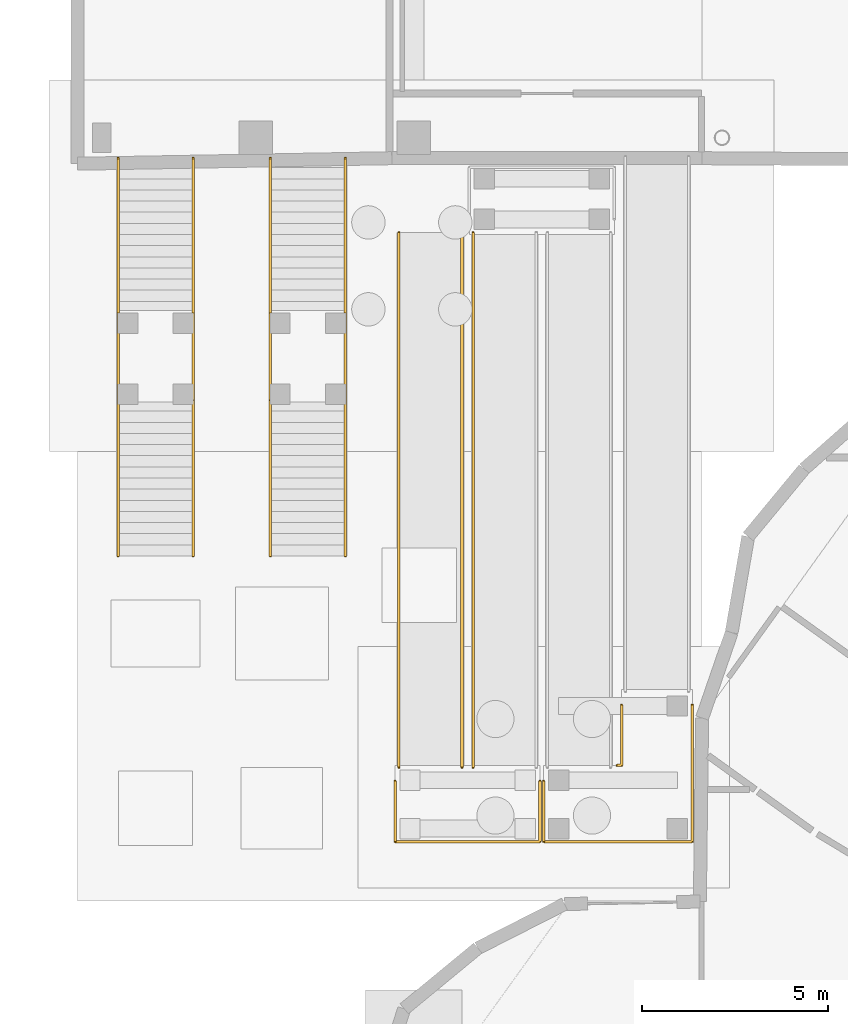
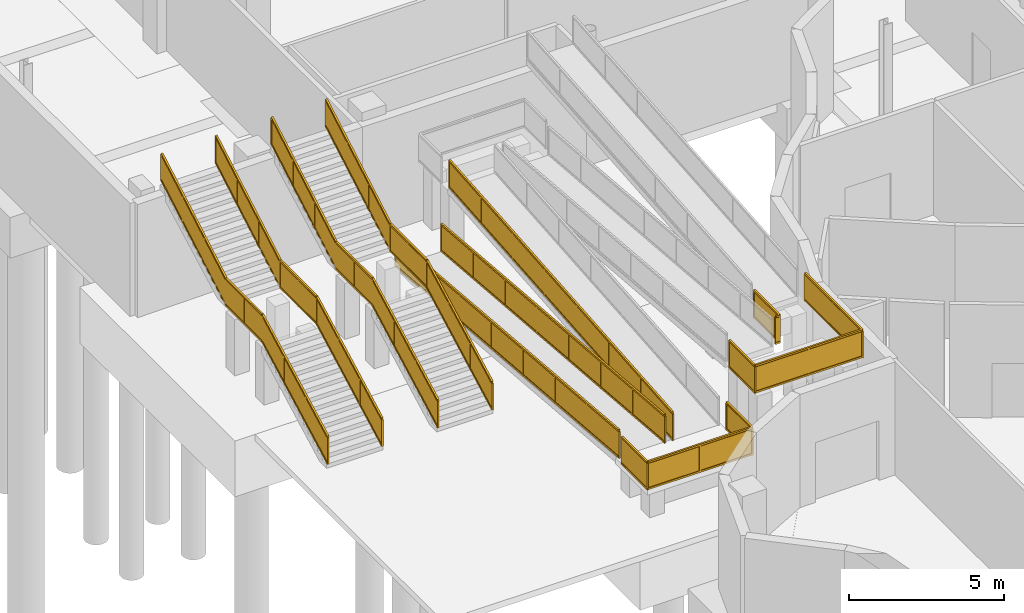
# One storey, part 41 of 45: 12 railings.
"""IFC4 building model written with IfcOpenShell, lengths in metres."""

import ifcopenshell
import ifcopenshell.guid

model = None  # the IFC model being written
_history = None  # IfcOwnerHistory: only IFC2X3 demands one
_inside = {}  # id of a spatial element -> (the spatial element, [elements in it])
_under = {}  # id of a project, library or spatial element -> (it, [spatial elements below it])
_declared = {}  # id of a project -> (the project, [libraries it declares])
_typed = {}  # id of a type object -> (the type object, [elements of that type])
_made_of = {}  # id of a material, layer set ... -> (it, [elements and type objects made of it])


def new_model(schema):
    """Start an empty IFC model of exactly this schema.

    Asked for "IFC4X3", IfcOpenShell would pick the latest addendum, in which some entities
    have other attributes; the version numbers below select the first issue.
    IFC2X3 requires an IfcOwnerHistory on every rooted entity: one is made here for all.
    """
    global model, _history
    if schema == "IFC4X3":
        model = ifcopenshell.file(schema_version=(4, 3, 0, 0))
    else:
        model = ifcopenshell.file(schema=schema)
    _inside.clear()
    _under.clear()
    _declared.clear()
    _typed.clear()
    _made_of.clear()
    _history = None
    if model.schema == "IFC2X3":
        org = make("IfcOrganization", Name="unknown")
        user = make(
            "IfcPersonAndOrganization",
            ThePerson=make("IfcPerson", FamilyName="unknown"),
            TheOrganization=org,
        )
        app = make(
            "IfcApplication",
            ApplicationDeveloper=org,
            Version="unknown",
            ApplicationFullName="unknown",
            ApplicationIdentifier="unknown",
        )
        _history = make(
            "IfcOwnerHistory",
            OwningUser=user,
            OwningApplication=app,
            ChangeAction="ADDED",
            CreationDate=0,
        )
    return model


def make(cls, **values):
    """One entity of the class cls with the attributes given. An attribute that is None is left unset."""
    return model.create_entity(
        cls, **{name: value for name, value in values.items() if value is not None}
    )


def rooted(cls, **values):
    """An entity with a GlobalId (a new one), such as an element, a storey or a relation."""
    return make(cls, GlobalId=ifcopenshell.guid.new(), OwnerHistory=_history, **values)


def si_unit(unit_type, name, prefix=None):
    """IfcSIUnit, for example si_unit("LENGTHUNIT", "METRE", prefix="MILLI")."""
    return make("IfcSIUnit", UnitType=unit_type, Prefix=prefix, Name=name)


def assignment(units):
    """IfcUnitAssignment: the units of a project."""
    return None if units is None else make("IfcUnitAssignment", Units=units)


def point(xyz):
    """IfcCartesianPoint."""
    return None if xyz is None else make("IfcCartesianPoint", Coordinates=xyz)


def direction(xyz):
    """IfcDirection."""
    return None if xyz is None else make("IfcDirection", DirectionRatios=xyz)


def frame(location, z_axis=None, x_axis=None):
    """IfcAxis2Placement3D, a coordinate frame: its origin and axes. An axis left out is left unset."""
    return make(
        "IfcAxis2Placement3D",
        Location=point(location),
        Axis=direction(z_axis),
        RefDirection=direction(x_axis),
    )


def frame_2d(location, x_axis=None):
    """IfcAxis2Placement2D, a coordinate frame in the plane: its origin and x axis."""
    return make(
        "IfcAxis2Placement2D", Location=point(location), RefDirection=direction(x_axis)
    )


def origin():
    """The frame at (0, 0, 0) with its axes left unset."""
    return frame((0.0, 0.0, 0.0))


def origin_2d():
    """The frame at (0, 0) in the plane with its x axis left unset."""
    return frame_2d((0.0, 0.0))


def place(relative_to, where):
    """IfcLocalPlacement: puts the frame where relative to a parent placement (None: the world)."""
    return make(
        "IfcLocalPlacement", PlacementRelTo=relative_to, RelativePlacement=where
    )


def context(
    kind, dimensions, precision=None, world=None, true_north=None, identifier=None
):
    """IfcGeometricRepresentationContext, for example the 3D "Model" context."""
    return make(
        "IfcGeometricRepresentationContext",
        ContextIdentifier=identifier,
        ContextType=kind,
        CoordinateSpaceDimension=dimensions,
        Precision=precision,
        WorldCoordinateSystem=world,
        TrueNorth=true_north,
    )


def subcontext(parent, identifier, kind, view, scale=None):
    """IfcGeometricRepresentationSubContext, for example "Body" below "Model"."""
    return make(
        "IfcGeometricRepresentationSubContext",
        ContextIdentifier=identifier,
        ContextType=kind,
        ParentContext=parent,
        TargetScale=scale,
        TargetView=view,
    )


def project(units=None, contexts=None):
    """IfcProject with its units and contexts."""
    return rooted(
        "IfcProject",
        Name="project",
        RepresentationContexts=contexts,
        UnitsInContext=assignment(units),
    )


def spatial(cls, under=None, at=None, **own):
    """A site, building, storey or space (cls), placed at a placement, below another one or the project."""
    s = rooted(cls, ObjectPlacement=at, **own)
    if under is not None:
        _under.setdefault(under.id(), (under, []))[1].append(s)
    return s


def polyline(points):
    """IfcPolyline through the points."""
    return make("IfcPolyline", Points=[point(p) for p in points])


def profile(cls, at=None, kind="AREA", **sizes):
    """A parametric profile (cls). Its sizes go by their IFC names, for example OverallWidth=200.0."""
    return make(cls, ProfileType=kind, Position=at, **sizes)


def rectangle(**sizes):
    """IfcRectangleProfileDef."""
    return profile("IfcRectangleProfileDef", **sizes)


def outline(outer, holes=None, kind="AREA"):
    """IfcArbitraryClosedProfileDef: a profile drawn as a closed curve; with holes, ...WithVoids."""
    if holes is None:
        return make("IfcArbitraryClosedProfileDef", ProfileType=kind, OuterCurve=outer)
    return make(
        "IfcArbitraryProfileDefWithVoids",
        ProfileType=kind,
        OuterCurve=outer,
        InnerCurves=holes,
    )


def extrude(swept, where, along, depth):
    """IfcExtrudedAreaSolid: the profile swept, set in the frame where, extruded along a direction by depth."""
    return make(
        "IfcExtrudedAreaSolid",
        SweptArea=swept,
        Position=where,
        ExtrudedDirection=direction(along),
        Depth=depth,
    )


def shape(context_of_items, identifier, shape_type, items):
    """IfcShapeRepresentation: the items that make up one representation, for example the "Body"."""
    return make(
        "IfcShapeRepresentation",
        ContextOfItems=context_of_items,
        RepresentationIdentifier=identifier,
        RepresentationType=shape_type,
        Items=items,
    )


def material(Name=None, Category=None):
    """IfcMaterial."""
    return make("IfcMaterial", Name=Name, Category=Category)


def made_of(thing, what):
    """Note that an element or type object is made of a material, layer set ...; save() writes the relation."""
    if what is not None:
        _made_of.setdefault(what.id(), (what, []))[1].append(thing)
    return thing


def type_object(cls, material=None, **own):
    """A type object (cls), such as IfcWallType, which elements share."""
    return made_of(rooted(cls, **own), material)


def element(
    cls,
    number,
    at=None,
    inside=None,
    cuts=None,
    type_object=None,
    material=None,
    context=None,
    identifier="Body",
    shape_type=None,
    held_by="IfcProductDefinitionShape",
    body=None,
    shapes=None,
    **own,
):
    """One element of the class cls, such as IfcWall. Its Tag is "e" and its number.

    at: its placement. inside: the storey or other place that contains it. cuts: it is an
    opening in that element (IfcRelVoidsElement). A single representation is given by context,
    identifier, shape_type and body (its items); several are given by shapes. held_by: the class
    of the entity that holds the representations. save() writes the other relations.
    """
    e = rooted(cls, Tag="e%d" % number, ObjectPlacement=at, **own)
    if body is not None:
        shapes = [shape(context, identifier, shape_type, body)]
    if shapes is not None:
        e.Representation = make(held_by, Representations=shapes)
    if inside is not None:
        _inside.setdefault(inside.id(), (inside, []))[1].append(e)
    if cuts is not None:
        rooted(
            "IfcRelVoidsElement", RelatingBuildingElement=cuts, RelatedOpeningElement=e
        )
    if type_object is not None:
        _typed.setdefault(type_object.id(), (type_object, []))[1].append(e)
    return made_of(e, material)


def aggregate(whole, parts):
    """IfcRelAggregates: a whole, such as a stair, and the parts it consists of."""
    return rooted("IfcRelAggregates", RelatingObject=whole, RelatedObjects=parts)


def save(model, path):
    """Write the relations noted so far, then the file.

    IfcRelAggregates (storeys below a building ...), IfcRelContainedInSpatialStructure (elements
    in a storey), IfcRelDefinesByType, IfcRelAssociatesMaterial and IfcRelDeclares: one each for
    every whole, place, type object, material and project.
    """
    for whole, parts in _under.values():
        aggregate(whole, parts)
    for where, things in _inside.values():
        rooted(
            "IfcRelContainedInSpatialStructure",
            RelatedElements=things,
            RelatingStructure=where,
        )
    for kind, things in _typed.values():
        rooted("IfcRelDefinesByType", RelatedObjects=things, RelatingType=kind)
    for what, things in _made_of.values():
        rooted("IfcRelAssociatesMaterial", RelatedObjects=things, RelatingMaterial=what)
    for by, libraries in _declared.values():
        rooted("IfcRelDeclares", RelatingContext=by, RelatedDefinitions=libraries)
    model.write(path)


model = new_model("IFC4")

# Units and contexts
model_context = context("Model", 3, precision=1e-05, world=origin(), true_north=direction((0.0, 1.0)))
body_context = subcontext(model_context, "Body", "Model", "MODEL_VIEW")
ifc_project = project(units=[si_unit("LENGTHUNIT", "METRE"), si_unit("AREAUNIT", "SQUARE_METRE"), si_unit("VOLUMEUNIT", "CUBIC_METRE"), si_unit("PLANEANGLEUNIT", "RADIAN"), si_unit("MASSUNIT", "GRAM", prefix="KILO")], contexts=[model_context])

# Site, building, storey
site_placement = place(None, origin())
site = spatial("IfcSite", under=ifc_project, at=site_placement, CompositionType="ELEMENT")
building_placement = place(site_placement, origin())
building = spatial("IfcBuilding", under=site, at=building_placement, Name="Selatvlak General Hospital", CompositionType="ELEMENT")
storey_placement = place(building_placement, frame((0.0, 0.0, -4.800048828125)))
storey = spatial("IfcBuildingStorey", under=building, at=storey_placement, Name="B1", CompositionType="ELEMENT", Elevation=-4.800048828125)

# Railings
ifc_material = material(Name="Stainless steel 316 stair guard", Category="steel")
railing_type = type_object("IfcRailingType", Name="RAIL-STG", PredefinedType="GUARDRAIL", material=ifc_material)
railing_1_placement = place(storey_placement, frame((7.090087890625, 41.2900390625, 0.16015625)))
element("IfcRailing", 1, at=railing_1_placement, inside=storey, type_object=railing_type, Name="Forecourt stair ST-08 side guard W", PredefinedType="GUARDRAIL", context=body_context, shape_type="SweptSolid", body=[
    extrude(rectangle(XDim=0.068115234375, YDim=0.068115234375, at=origin_2d()), frame((0.0, 0.002685546875, 1.08740234375), z_axis=(0.0, 0.882351521365, 0.470590897432), x_axis=(-1.0, 0.0, 0.0)), (0.0, 0.0, 1.0), 4.754150390625),
    extrude(rectangle(XDim=0.068115234375, YDim=0.068115234375, at=origin_2d()), frame((0.0, 0.002685546875, 0.050537109375), z_axis=(0.0, 0.882351521365, 0.470590897432), x_axis=(-1.0, 0.0, 0.0)), (0.0, 0.0, 1.0), 4.754150390625),
    extrude(outline(polyline([(0.0, 0.0), (4.18798828125, 2.233642578125), (4.18798828125, 3.175537109375), (0.0, 0.94189453125), (0.0, 0.0)])), frame((-0.01806640625, 0.006103515625, 0.088134765625), z_axis=(1.0, 0.0, 0.0), x_axis=(0.0, 1.0, 0.0)), (0.0, 0.0, 1.0), 0.031982421875),
    extrude(rectangle(XDim=0.068115234375, YDim=0.068115234375, at=origin_2d()), frame((0.0, 4.202880859375, 3.326171875), z_axis=(0.0, 1.0, 0.0), x_axis=(-1.0, 0.0, 0.0)), (0.0, 0.0, 1.0), 2.34912109375),
    extrude(rectangle(XDim=0.068115234375, YDim=0.068115234375, at=origin_2d()), frame((0.0, 4.202880859375, 2.2890625), z_axis=(0.0, 1.0, 0.0), x_axis=(-1.0, 0.0, 0.0)), (0.0, 0.0, 1.0), 2.34912109375),
    extrude(outline(polyline([(0.0, 0.0), (2.343017578125, 0.0), (2.343017578125, 0.94189453125), (0.0, 0.94189453125), (0.0, 0.0)])), frame((-0.01806640625, 4.2060546875, 2.324951171875), z_axis=(1.0, 0.0, 0.0), x_axis=(0.0, 1.0, 0.0)), (0.0, 0.0, 1.0), 0.031982421875),
    extrude(rectangle(XDim=0.068115234375, YDim=0.068115234375, at=origin_2d()), frame((0.0, 6.557373046875, 3.32763671875), z_axis=(0.0, 0.865935592841, 0.500155524862), x_axis=(-1.0, 0.0, 0.0)), (0.0, 0.0, 1.0), 4.79248046875),
    extrude(rectangle(XDim=0.068115234375, YDim=0.068115234375, at=origin_2d()), frame((0.0, 6.557373046875, 2.29052734375), z_axis=(0.0, 0.865935592841, 0.500155524862), x_axis=(-1.0, 0.0, 0.0)), (0.0, 0.0, 1.0), 4.79248046875),
    extrude(outline(polyline([(0.0, 0.0), (4.14306640625, 2.39306640625), (4.14306640625, 3.3349609375), (0.0, 0.94189453125), (0.0, 0.0)])), frame((-0.01806640625, 6.56103515625, 2.328369140625), z_axis=(1.0, 0.0, 0.0), x_axis=(0.0, 1.0, 0.0)), (0.0, 0.0, 1.0), 0.031982421875),
    extrude(rectangle(XDim=0.055908203125, YDim=0.055908203125, at=origin_2d()), origin(), (0.0, 0.0, 1.0), 1.049072265625),
    extrude(rectangle(XDim=0.055908203125, YDim=0.055908203125, at=origin_2d()), frame((0.0, 1.39990234375, 0.74658203125)), (0.0, 0.0, 1.0), 1.049072265625),
    extrude(rectangle(XDim=0.055908203125, YDim=0.055908203125, at=origin_2d()), frame((0.0, 2.800048828125, 1.493408203125)), (0.0, 0.0, 1.0), 1.049072265625),
    extrude(rectangle(XDim=0.055908203125, YDim=0.055908203125, at=origin_2d()), frame((0.0, 4.199951171875, 2.239990234375)), (0.0, 0.0, 1.0), 1.049072265625),
    extrude(rectangle(XDim=0.055908203125, YDim=0.055908203125, at=origin_2d()), frame((0.0, 5.37744140625, 2.239990234375)), (0.0, 0.0, 1.0), 1.049072265625),
    extrude(rectangle(XDim=0.055908203125, YDim=0.055908203125, at=origin_2d()), frame((0.0, 6.554931640625, 2.239990234375)), (0.0, 0.0, 1.0), 1.049072265625),
    extrude(rectangle(XDim=0.055908203125, YDim=0.055908203125, at=origin_2d()), frame((0.0, 7.93994140625, 3.0400390625)), (0.0, 0.0, 1.0), 1.049072265625),
    extrude(rectangle(XDim=0.055908203125, YDim=0.055908203125, at=origin_2d()), frame((0.0, 9.324951171875, 3.83984375)), (0.0, 0.0, 1.0), 1.049072265625),
    extrude(rectangle(XDim=0.055908203125, YDim=0.055908203125, at=origin_2d()), frame((0.0, 10.7099609375, 4.639892578125)), (0.0, 0.0, 1.0), 1.049072265625),
])
railing_2_placement = place(storey_placement, frame((9.110107421875, 41.2900390625, 0.16015625)))
element("IfcRailing", 2, at=railing_2_placement, inside=storey, type_object=railing_type, Name="Forecourt stair ST-08 side guard E", PredefinedType="GUARDRAIL", context=body_context, shape_type="SweptSolid", body=[
    extrude(rectangle(XDim=0.068115234375, YDim=0.068115234375, at=origin_2d()), frame((0.0, 0.002685546875, 1.08740234375), z_axis=(0.0, 0.882351521365, 0.470590897432), x_axis=(-1.0, 0.0, 0.0)), (0.0, 0.0, 1.0), 4.754150390625),
    extrude(rectangle(XDim=0.068115234375, YDim=0.068115234375, at=origin_2d()), frame((0.0, 0.002685546875, 0.050537109375), z_axis=(0.0, 0.882351521365, 0.470590897432), x_axis=(-1.0, 0.0, 0.0)), (0.0, 0.0, 1.0), 4.754150390625),
    extrude(outline(polyline([(0.0, 0.0), (4.18798828125, 2.233642578125), (4.18798828125, 3.175537109375), (0.0, 0.94189453125), (0.0, 0.0)])), frame((-0.01806640625, 0.006103515625, 0.088134765625), z_axis=(1.0, 0.0, 0.0), x_axis=(0.0, 1.0, 0.0)), (0.0, 0.0, 1.0), 0.031982421875),
    extrude(rectangle(XDim=0.068115234375, YDim=0.068115234375, at=origin_2d()), frame((0.0, 4.202880859375, 3.326171875), z_axis=(0.0, 1.0, 0.0), x_axis=(-1.0, 0.0, 0.0)), (0.0, 0.0, 1.0), 2.34912109375),
    extrude(rectangle(XDim=0.068115234375, YDim=0.068115234375, at=origin_2d()), frame((0.0, 4.202880859375, 2.2890625), z_axis=(0.0, 1.0, 0.0), x_axis=(-1.0, 0.0, 0.0)), (0.0, 0.0, 1.0), 2.34912109375),
    extrude(outline(polyline([(0.0, 0.0), (2.343017578125, 0.0), (2.343017578125, 0.94189453125), (0.0, 0.94189453125), (0.0, 0.0)])), frame((-0.01806640625, 4.2060546875, 2.324951171875), z_axis=(1.0, 0.0, 0.0), x_axis=(0.0, 1.0, 0.0)), (0.0, 0.0, 1.0), 0.031982421875),
    extrude(rectangle(XDim=0.068115234375, YDim=0.068115234375, at=origin_2d()), frame((0.0, 6.557373046875, 3.32763671875), z_axis=(0.0, 0.865935592841, 0.500155524862), x_axis=(-1.0, 0.0, 0.0)), (0.0, 0.0, 1.0), 4.79248046875),
    extrude(rectangle(XDim=0.068115234375, YDim=0.068115234375, at=origin_2d()), frame((0.0, 6.557373046875, 2.29052734375), z_axis=(0.0, 0.865935592841, 0.500155524862), x_axis=(-1.0, 0.0, 0.0)), (0.0, 0.0, 1.0), 4.79248046875),
    extrude(outline(polyline([(0.0, 0.0), (4.14306640625, 2.39306640625), (4.14306640625, 3.3349609375), (0.0, 0.94189453125), (0.0, 0.0)])), frame((-0.01806640625, 6.56103515625, 2.328369140625), z_axis=(1.0, 0.0, 0.0), x_axis=(0.0, 1.0, 0.0)), (0.0, 0.0, 1.0), 0.031982421875),
    extrude(rectangle(XDim=0.055908203125, YDim=0.055908203125, at=origin_2d()), origin(), (0.0, 0.0, 1.0), 1.049072265625),
    extrude(rectangle(XDim=0.055908203125, YDim=0.055908203125, at=origin_2d()), frame((0.0, 1.39990234375, 0.74658203125)), (0.0, 0.0, 1.0), 1.049072265625),
    extrude(rectangle(XDim=0.055908203125, YDim=0.055908203125, at=origin_2d()), frame((0.0, 2.800048828125, 1.493408203125)), (0.0, 0.0, 1.0), 1.049072265625),
    extrude(rectangle(XDim=0.055908203125, YDim=0.055908203125, at=origin_2d()), frame((0.0, 4.199951171875, 2.239990234375)), (0.0, 0.0, 1.0), 1.049072265625),
    extrude(rectangle(XDim=0.055908203125, YDim=0.055908203125, at=origin_2d()), frame((0.0, 5.37744140625, 2.239990234375)), (0.0, 0.0, 1.0), 1.049072265625),
    extrude(rectangle(XDim=0.055908203125, YDim=0.055908203125, at=origin_2d()), frame((0.0, 6.554931640625, 2.239990234375)), (0.0, 0.0, 1.0), 1.049072265625),
    extrude(rectangle(XDim=0.055908203125, YDim=0.055908203125, at=origin_2d()), frame((0.0, 7.93994140625, 3.0400390625)), (0.0, 0.0, 1.0), 1.049072265625),
    extrude(rectangle(XDim=0.055908203125, YDim=0.055908203125, at=origin_2d()), frame((0.0, 9.324951171875, 3.83984375)), (0.0, 0.0, 1.0), 1.049072265625),
    extrude(rectangle(XDim=0.055908203125, YDim=0.055908203125, at=origin_2d()), frame((0.0, 10.7099609375, 4.639892578125)), (0.0, 0.0, 1.0), 1.049072265625),
])
railing_3_placement = place(storey_placement, frame((11.18994140625, 41.2900390625, 0.16015625)))
element("IfcRailing", 3, at=railing_3_placement, inside=storey, type_object=railing_type, Name="Forecourt stair ST-09 side guard W", PredefinedType="GUARDRAIL", context=body_context, shape_type="SweptSolid", body=[
    extrude(rectangle(XDim=0.068115234375, YDim=0.068115234375, at=origin_2d()), frame((0.0, 0.002685546875, 1.08740234375), z_axis=(0.0, 0.882351521365, 0.470590897432), x_axis=(-1.0, 0.0, 0.0)), (0.0, 0.0, 1.0), 4.754150390625),
    extrude(rectangle(XDim=0.068115234375, YDim=0.068115234375, at=origin_2d()), frame((0.0, 0.002685546875, 0.050537109375), z_axis=(0.0, 0.882351521365, 0.470590897432), x_axis=(-1.0, 0.0, 0.0)), (0.0, 0.0, 1.0), 4.754150390625),
    extrude(outline(polyline([(0.0, 0.0), (4.18798828125, 2.233642578125), (4.18798828125, 3.175537109375), (0.0, 0.94189453125), (0.0, 0.0)])), frame((-0.01806640625, 0.006103515625, 0.088134765625), z_axis=(1.0, 0.0, 0.0), x_axis=(0.0, 1.0, 0.0)), (0.0, 0.0, 1.0), 0.031982421875),
    extrude(rectangle(XDim=0.068115234375, YDim=0.068115234375, at=origin_2d()), frame((0.0, 4.202880859375, 3.326171875), z_axis=(0.0, 1.0, 0.0), x_axis=(-1.0, 0.0, 0.0)), (0.0, 0.0, 1.0), 2.34912109375),
    extrude(rectangle(XDim=0.068115234375, YDim=0.068115234375, at=origin_2d()), frame((0.0, 4.202880859375, 2.2890625), z_axis=(0.0, 1.0, 0.0), x_axis=(-1.0, 0.0, 0.0)), (0.0, 0.0, 1.0), 2.34912109375),
    extrude(outline(polyline([(0.0, 0.0), (2.343017578125, 0.0), (2.343017578125, 0.94189453125), (0.0, 0.94189453125), (0.0, 0.0)])), frame((-0.01806640625, 4.2060546875, 2.324951171875), z_axis=(1.0, 0.0, 0.0), x_axis=(0.0, 1.0, 0.0)), (0.0, 0.0, 1.0), 0.031982421875),
    extrude(rectangle(XDim=0.068115234375, YDim=0.068115234375, at=origin_2d()), frame((0.0, 6.557373046875, 3.32763671875), z_axis=(0.0, 0.865935592841, 0.500155524862), x_axis=(-1.0, 0.0, 0.0)), (0.0, 0.0, 1.0), 4.79248046875),
    extrude(rectangle(XDim=0.068115234375, YDim=0.068115234375, at=origin_2d()), frame((0.0, 6.557373046875, 2.29052734375), z_axis=(0.0, 0.865935592841, 0.500155524862), x_axis=(-1.0, 0.0, 0.0)), (0.0, 0.0, 1.0), 4.79248046875),
    extrude(outline(polyline([(0.0, 0.0), (4.14306640625, 2.39306640625), (4.14306640625, 3.3349609375), (0.0, 0.94189453125), (0.0, 0.0)])), frame((-0.01806640625, 6.56103515625, 2.328369140625), z_axis=(1.0, 0.0, 0.0), x_axis=(0.0, 1.0, 0.0)), (0.0, 0.0, 1.0), 0.031982421875),
    extrude(rectangle(XDim=0.055908203125, YDim=0.055908203125, at=origin_2d()), origin(), (0.0, 0.0, 1.0), 1.049072265625),
    extrude(rectangle(XDim=0.055908203125, YDim=0.055908203125, at=origin_2d()), frame((0.0, 1.39990234375, 0.74658203125)), (0.0, 0.0, 1.0), 1.049072265625),
    extrude(rectangle(XDim=0.055908203125, YDim=0.055908203125, at=origin_2d()), frame((0.0, 2.800048828125, 1.493408203125)), (0.0, 0.0, 1.0), 1.049072265625),
    extrude(rectangle(XDim=0.055908203125, YDim=0.055908203125, at=origin_2d()), frame((0.0, 4.199951171875, 2.239990234375)), (0.0, 0.0, 1.0), 1.049072265625),
    extrude(rectangle(XDim=0.055908203125, YDim=0.055908203125, at=origin_2d()), frame((0.0, 5.37744140625, 2.239990234375)), (0.0, 0.0, 1.0), 1.049072265625),
    extrude(rectangle(XDim=0.055908203125, YDim=0.055908203125, at=origin_2d()), frame((0.0, 6.554931640625, 2.239990234375)), (0.0, 0.0, 1.0), 1.049072265625),
    extrude(rectangle(XDim=0.055908203125, YDim=0.055908203125, at=origin_2d()), frame((0.0, 7.93994140625, 3.0400390625)), (0.0, 0.0, 1.0), 1.049072265625),
    extrude(rectangle(XDim=0.055908203125, YDim=0.055908203125, at=origin_2d()), frame((0.0, 9.324951171875, 3.83984375)), (0.0, 0.0, 1.0), 1.049072265625),
    extrude(rectangle(XDim=0.055908203125, YDim=0.055908203125, at=origin_2d()), frame((0.0, 10.7099609375, 4.639892578125)), (0.0, 0.0, 1.0), 1.049072265625),
])
railing_4_placement = place(storey_placement, frame((13.2099609375, 41.2900390625, 0.16015625)))
element("IfcRailing", 4, at=railing_4_placement, inside=storey, type_object=railing_type, Name="Forecourt stair ST-09 side guard E", PredefinedType="GUARDRAIL", context=body_context, shape_type="SweptSolid", body=[
    extrude(rectangle(XDim=0.068115234375, YDim=0.068115234375, at=origin_2d()), frame((0.0, 0.002685546875, 1.08740234375), z_axis=(0.0, 0.882351521365, 0.470590897432), x_axis=(-1.0, 0.0, 0.0)), (0.0, 0.0, 1.0), 4.754150390625),
    extrude(rectangle(XDim=0.068115234375, YDim=0.068115234375, at=origin_2d()), frame((0.0, 0.002685546875, 0.050537109375), z_axis=(0.0, 0.882351521365, 0.470590897432), x_axis=(-1.0, 0.0, 0.0)), (0.0, 0.0, 1.0), 4.754150390625),
    extrude(outline(polyline([(0.0, 0.0), (4.18798828125, 2.233642578125), (4.18798828125, 3.175537109375), (0.0, 0.94189453125), (0.0, 0.0)])), frame((-0.01806640625, 0.006103515625, 0.088134765625), z_axis=(1.0, 0.0, 0.0), x_axis=(0.0, 1.0, 0.0)), (0.0, 0.0, 1.0), 0.031982421875),
    extrude(rectangle(XDim=0.068115234375, YDim=0.068115234375, at=origin_2d()), frame((0.0, 4.202880859375, 3.326171875), z_axis=(0.0, 1.0, 0.0), x_axis=(-1.0, 0.0, 0.0)), (0.0, 0.0, 1.0), 2.34912109375),
    extrude(rectangle(XDim=0.068115234375, YDim=0.068115234375, at=origin_2d()), frame((0.0, 4.202880859375, 2.2890625), z_axis=(0.0, 1.0, 0.0), x_axis=(-1.0, 0.0, 0.0)), (0.0, 0.0, 1.0), 2.34912109375),
    extrude(outline(polyline([(0.0, 0.0), (2.343017578125, 0.0), (2.343017578125, 0.94189453125), (0.0, 0.94189453125), (0.0, 0.0)])), frame((-0.01806640625, 4.2060546875, 2.324951171875), z_axis=(1.0, 0.0, 0.0), x_axis=(0.0, 1.0, 0.0)), (0.0, 0.0, 1.0), 0.031982421875),
    extrude(rectangle(XDim=0.068115234375, YDim=0.068115234375, at=origin_2d()), frame((0.0, 6.557373046875, 3.32763671875), z_axis=(0.0, 0.865935592841, 0.500155524862), x_axis=(-1.0, 0.0, 0.0)), (0.0, 0.0, 1.0), 4.79248046875),
    extrude(rectangle(XDim=0.068115234375, YDim=0.068115234375, at=origin_2d()), frame((0.0, 6.557373046875, 2.29052734375), z_axis=(0.0, 0.865935592841, 0.500155524862), x_axis=(-1.0, 0.0, 0.0)), (0.0, 0.0, 1.0), 4.79248046875),
    extrude(outline(polyline([(0.0, 0.0), (4.14306640625, 2.39306640625), (4.14306640625, 3.3349609375), (0.0, 0.94189453125), (0.0, 0.0)])), frame((-0.01806640625, 6.56103515625, 2.328369140625), z_axis=(1.0, 0.0, 0.0), x_axis=(0.0, 1.0, 0.0)), (0.0, 0.0, 1.0), 0.031982421875),
    extrude(rectangle(XDim=0.055908203125, YDim=0.055908203125, at=origin_2d()), origin(), (0.0, 0.0, 1.0), 1.049072265625),
    extrude(rectangle(XDim=0.055908203125, YDim=0.055908203125, at=origin_2d()), frame((0.0, 1.39990234375, 0.74658203125)), (0.0, 0.0, 1.0), 1.049072265625),
    extrude(rectangle(XDim=0.055908203125, YDim=0.055908203125, at=origin_2d()), frame((0.0, 2.800048828125, 1.493408203125)), (0.0, 0.0, 1.0), 1.049072265625),
    extrude(rectangle(XDim=0.055908203125, YDim=0.055908203125, at=origin_2d()), frame((0.0, 4.199951171875, 2.239990234375)), (0.0, 0.0, 1.0), 1.049072265625),
    extrude(rectangle(XDim=0.055908203125, YDim=0.055908203125, at=origin_2d()), frame((0.0, 5.37744140625, 2.239990234375)), (0.0, 0.0, 1.0), 1.049072265625),
    extrude(rectangle(XDim=0.055908203125, YDim=0.055908203125, at=origin_2d()), frame((0.0, 6.554931640625, 2.239990234375)), (0.0, 0.0, 1.0), 1.049072265625),
    extrude(rectangle(XDim=0.055908203125, YDim=0.055908203125, at=origin_2d()), frame((0.0, 7.93994140625, 3.0400390625)), (0.0, 0.0, 1.0), 1.049072265625),
    extrude(rectangle(XDim=0.055908203125, YDim=0.055908203125, at=origin_2d()), frame((0.0, 9.324951171875, 3.83984375)), (0.0, 0.0, 1.0), 1.049072265625),
    extrude(rectangle(XDim=0.055908203125, YDim=0.055908203125, at=origin_2d()), frame((0.0, 10.7099609375, 4.639892578125)), (0.0, 0.0, 1.0), 1.049072265625),
])
railing_5_placement = place(storey_placement, frame((14.64990234375, 50.0, 0.0)))
element("IfcRailing", 5, at=railing_5_placement, inside=storey, type_object=railing_type, Name="Accessible ramp RMP-ACC-01 side guard R", PredefinedType="GUARDRAIL", context=body_context, shape_type="SweptSolid", body=[
    extrude(rectangle(XDim=0.068115234375, YDim=0.068115234375, at=origin_2d()), frame((0.0, -0.0029296875, 1.086181640625), z_axis=(0.0, -0.996545991286, 0.083042683313), x_axis=(1.0, 0.0, 0.0)), (0.0, 0.0, 1.0), 14.44384765625),
    extrude(rectangle(XDim=0.068115234375, YDim=0.068115234375, at=origin_2d()), frame((0.0, -0.0029296875, 0.04931640625), z_axis=(0.0, -0.996545991286, 0.083042683313), x_axis=(1.0, 0.0, 0.0)), (0.0, 0.0, 1.0), 14.44384765625),
    extrude(outline(polyline([(0.0, 0.0), (14.387939453125, 1.198974609375), (14.387939453125, 2.140869140625), (0.0, 0.94189453125), (0.0, 0.0)])), frame((0.01806640625, -0.006103515625, 0.08544921875), z_axis=(-1.0, 0.0, 0.0), x_axis=(0.0, -1.0, 0.0)), (0.0, 0.0, 1.0), 0.031982421875),
    extrude(rectangle(XDim=0.055908203125, YDim=0.055908203125, at=origin_2d()), origin(), (0.0, 0.0, 1.0), 1.049072265625),
    extrude(rectangle(XDim=0.055908203125, YDim=0.055908203125, at=origin_2d()), frame((0.0, -2.05712890625, 0.17138671875)), (0.0, 0.0, 1.0), 1.049072265625),
    extrude(rectangle(XDim=0.055908203125, YDim=0.055908203125, at=origin_2d()), frame((0.0, -4.1142578125, 0.3427734375)), (0.0, 0.0, 1.0), 1.049072265625),
    extrude(rectangle(XDim=0.055908203125, YDim=0.055908203125, at=origin_2d()), frame((0.0, -6.17138671875, 0.51416015625)), (0.0, 0.0, 1.0), 1.049072265625),
    extrude(rectangle(XDim=0.055908203125, YDim=0.055908203125, at=origin_2d()), frame((0.0, -8.228515625, 0.685791015625)), (0.0, 0.0, 1.0), 1.049072265625),
    extrude(rectangle(XDim=0.055908203125, YDim=0.055908203125, at=origin_2d()), frame((0.0, -10.28564453125, 0.857177734375)), (0.0, 0.0, 1.0), 1.049072265625),
    extrude(rectangle(XDim=0.055908203125, YDim=0.055908203125, at=origin_2d()), frame((0.0, -12.3427734375, 1.028564453125)), (0.0, 0.0, 1.0), 1.049072265625),
    extrude(rectangle(XDim=0.055908203125, YDim=0.055908203125, at=origin_2d()), frame((0.0, -14.39990234375, 1.199951171875)), (0.0, 0.0, 1.0), 1.049072265625),
])
railing_6_placement = place(storey_placement, frame((16.35009765625, 50.0, 0.0)))
element("IfcRailing", 6, at=railing_6_placement, inside=storey, type_object=railing_type, Name="Accessible ramp RMP-ACC-01 side guard L", PredefinedType="GUARDRAIL", context=body_context, shape_type="SweptSolid", body=[
    extrude(rectangle(XDim=0.068115234375, YDim=0.068115234375, at=origin_2d()), frame((0.0, -0.0029296875, 1.086181640625), z_axis=(0.0, -0.996545991286, 0.083042683313), x_axis=(1.0, 0.0, 0.0)), (0.0, 0.0, 1.0), 14.44384765625),
    extrude(rectangle(XDim=0.068115234375, YDim=0.068115234375, at=origin_2d()), frame((0.0, -0.0029296875, 0.04931640625), z_axis=(0.0, -0.996545991286, 0.083042683313), x_axis=(1.0, 0.0, 0.0)), (0.0, 0.0, 1.0), 14.44384765625),
    extrude(outline(polyline([(0.0, 0.0), (14.387939453125, 1.198974609375), (14.387939453125, 2.140869140625), (0.0, 0.94189453125), (0.0, 0.0)])), frame((0.01806640625, -0.006103515625, 0.08544921875), z_axis=(-1.0, 0.0, 0.0), x_axis=(0.0, -1.0, 0.0)), (0.0, 0.0, 1.0), 0.031982421875),
    extrude(rectangle(XDim=0.055908203125, YDim=0.055908203125, at=origin_2d()), origin(), (0.0, 0.0, 1.0), 1.049072265625),
    extrude(rectangle(XDim=0.055908203125, YDim=0.055908203125, at=origin_2d()), frame((0.0, -2.05712890625, 0.17138671875)), (0.0, 0.0, 1.0), 1.049072265625),
    extrude(rectangle(XDim=0.055908203125, YDim=0.055908203125, at=origin_2d()), frame((0.0, -4.1142578125, 0.3427734375)), (0.0, 0.0, 1.0), 1.049072265625),
    extrude(rectangle(XDim=0.055908203125, YDim=0.055908203125, at=origin_2d()), frame((0.0, -6.17138671875, 0.51416015625)), (0.0, 0.0, 1.0), 1.049072265625),
    extrude(rectangle(XDim=0.055908203125, YDim=0.055908203125, at=origin_2d()), frame((0.0, -8.228515625, 0.685791015625)), (0.0, 0.0, 1.0), 1.049072265625),
    extrude(rectangle(XDim=0.055908203125, YDim=0.055908203125, at=origin_2d()), frame((0.0, -10.28564453125, 0.857177734375)), (0.0, 0.0, 1.0), 1.049072265625),
    extrude(rectangle(XDim=0.055908203125, YDim=0.055908203125, at=origin_2d()), frame((0.0, -12.3427734375, 1.028564453125)), (0.0, 0.0, 1.0), 1.049072265625),
    extrude(rectangle(XDim=0.055908203125, YDim=0.055908203125, at=origin_2d()), frame((0.0, -14.39990234375, 1.199951171875)), (0.0, 0.0, 1.0), 1.049072265625),
])
railing_7_placement = place(storey_placement, frame((16.64990234375, 35.60009765625, 1.199951171875)))
element("IfcRailing", 7, at=railing_7_placement, inside=storey, type_object=railing_type, Name="Accessible ramp RMP-ACC-02 side guard L", PredefinedType="GUARDRAIL", context=body_context, shape_type="SweptSolid", body=[
    extrude(rectangle(XDim=0.068115234375, YDim=0.068115234375, at=origin_2d()), frame((0.0, 0.0029296875, 1.086181640625), z_axis=(0.0, 0.996544592923, 0.083059462528), x_axis=(-1.0, 0.0, 0.0)), (0.0, 0.0, 1.0), 14.444091796875),
    extrude(rectangle(XDim=0.068115234375, YDim=0.068115234375, at=origin_2d()), frame((0.0, 0.0029296875, 0.04931640625), z_axis=(0.0, 0.996544592923, 0.083059462528), x_axis=(-1.0, 0.0, 0.0)), (0.0, 0.0, 1.0), 14.444091796875),
    extrude(outline(polyline([(0.0, 0.0), (14.387939453125, 1.19921875), (14.387939453125, 2.14111328125), (0.0, 0.94189453125), (0.0, 0.0)])), frame((-0.01806640625, 0.006103515625, 0.08544921875), z_axis=(1.0, 0.0, 0.0), x_axis=(0.0, 1.0, 0.0)), (0.0, 0.0, 1.0), 0.031982421875),
    extrude(rectangle(XDim=0.055908203125, YDim=0.055908203125, at=origin_2d()), origin(), (0.0, 0.0, 1.0), 1.049072265625),
    extrude(rectangle(XDim=0.055908203125, YDim=0.055908203125, at=origin_2d()), frame((0.0, 2.05712890625, 0.17138671875)), (0.0, 0.0, 1.0), 1.049072265625),
    extrude(rectangle(XDim=0.055908203125, YDim=0.055908203125, at=origin_2d()), frame((0.0, 4.1142578125, 0.343017578125)), (0.0, 0.0, 1.0), 1.049072265625),
    extrude(rectangle(XDim=0.055908203125, YDim=0.055908203125, at=origin_2d()), frame((0.0, 6.17138671875, 0.514404296875)), (0.0, 0.0, 1.0), 1.049072265625),
    extrude(rectangle(XDim=0.055908203125, YDim=0.055908203125, at=origin_2d()), frame((0.0, 8.228515625, 0.685791015625)), (0.0, 0.0, 1.0), 1.049072265625),
    extrude(rectangle(XDim=0.055908203125, YDim=0.055908203125, at=origin_2d()), frame((0.0, 10.28564453125, 0.857177734375)), (0.0, 0.0, 1.0), 1.049072265625),
    extrude(rectangle(XDim=0.055908203125, YDim=0.055908203125, at=origin_2d()), frame((0.0, 12.3427734375, 1.02880859375)), (0.0, 0.0, 1.0), 1.049072265625),
    extrude(rectangle(XDim=0.055908203125, YDim=0.055908203125, at=origin_2d()), frame((0.0, 14.39990234375, 1.2001953125)), (0.0, 0.0, 1.0), 1.049072265625),
])
railing_8_placement = place(storey_placement, frame((14.550048828125, 33.60009765625, 1.199951171875)))
element("IfcRailing", 8, at=railing_8_placement, inside=storey, type_object=railing_type, Name="Accessible landing guard SL-ACCLND-01-1", PredefinedType="GUARDRAIL", context=body_context, shape_type="SweptSolid", body=[
    extrude(rectangle(XDim=0.068115234375, YDim=0.068115234375, at=origin_2d()), frame((0.0029296875, 0.0, 1.0859375), z_axis=(1.0, 0.0, 0.0), x_axis=(0.0, 1.0, 0.0)), (0.0, 0.0, 1.0), 3.89404296875),
    extrude(rectangle(XDim=0.068115234375, YDim=0.068115234375, at=origin_2d()), frame((0.0029296875, 0.0, 0.049072265625), z_axis=(1.0, 0.0, 0.0), x_axis=(0.0, 1.0, 0.0)), (0.0, 0.0, 1.0), 3.89404296875),
    extrude(outline(polyline([(0.0, 0.0), (3.887939453125, 0.0), (3.887939453125, 0.94189453125), (0.0, 0.94189453125), (0.0, 0.0)])), frame((0.006103515625, 0.01806640625, 0.0849609375), z_axis=(0.0, -1.0, 0.0), x_axis=(1.0, 0.0, 0.0)), (0.0, 0.0, 1.0), 0.031982421875),
    extrude(rectangle(XDim=0.068115234375, YDim=0.068115234375, at=origin_2d()), frame((3.89990234375, 0.0029296875, 1.0859375), z_axis=(0.0, 1.0, 0.0), x_axis=(-1.0, 0.0, 0.0)), (0.0, 0.0, 1.0), 1.625),
    extrude(rectangle(XDim=0.068115234375, YDim=0.068115234375, at=origin_2d()), frame((3.89990234375, 0.0029296875, 0.049072265625), z_axis=(0.0, 1.0, 0.0), x_axis=(-1.0, 0.0, 0.0)), (0.0, 0.0, 1.0), 1.625),
    extrude(outline(polyline([(0.0, 0.0), (1.618896484375, 0.0), (1.618896484375, 0.94189453125), (0.0, 0.94189453125), (0.0, 0.0)])), frame((3.8818359375, 0.006103515625, 0.0849609375), z_axis=(1.0, 0.0, 0.0), x_axis=(0.0, 1.0, 0.0)), (0.0, 0.0, 1.0), 0.031982421875),
    extrude(rectangle(XDim=0.055908203125, YDim=0.055908203125, at=origin_2d()), origin(), (0.0, 0.0, 1.0), 1.049072265625),
    extrude(rectangle(XDim=0.055908203125, YDim=0.055908203125, at=origin_2d()), frame((1.949951171875, 0.0, 0.0)), (0.0, 0.0, 1.0), 1.049072265625),
    extrude(rectangle(XDim=0.055908203125, YDim=0.055908203125, at=origin_2d()), frame((3.89990234375, 0.0, 0.0)), (0.0, 0.0, 1.0), 1.049072265625),
    extrude(rectangle(XDim=0.055908203125, YDim=0.055908203125, at=origin_2d()), frame((3.89990234375, 1.630859375, 0.0)), (0.0, 0.0, 1.0), 1.049072265625),
])
railing_9_placement = place(storey_placement, frame((14.550048828125, 35.23095703125, 1.199951171875)))
element("IfcRailing", 9, at=railing_9_placement, inside=storey, type_object=railing_type, Name="Accessible landing guard SL-ACCLND-01-2", PredefinedType="GUARDRAIL", context=body_context, shape_type="SweptSolid", body=[
    extrude(rectangle(XDim=0.068115234375, YDim=0.068115234375, at=origin_2d()), frame((0.0, -0.0029296875, 1.0859375), z_axis=(0.0, -1.0, 0.0), x_axis=(1.0, 0.0, 0.0)), (0.0, 0.0, 1.0), 1.625),
    extrude(rectangle(XDim=0.068115234375, YDim=0.068115234375, at=origin_2d()), frame((0.0, -0.0029296875, 0.049072265625), z_axis=(0.0, -1.0, 0.0), x_axis=(1.0, 0.0, 0.0)), (0.0, 0.0, 1.0), 1.625),
    extrude(outline(polyline([(0.0, 0.0), (1.618896484375, 0.0), (1.618896484375, 0.94189453125), (0.0, 0.94189453125), (0.0, 0.0)])), frame((0.01806640625, -0.006103515625, 0.0849609375), z_axis=(-1.0, 0.0, 0.0), x_axis=(0.0, -1.0, 0.0)), (0.0, 0.0, 1.0), 0.031982421875),
    extrude(rectangle(XDim=0.055908203125, YDim=0.055908203125, at=origin_2d()), origin(), (0.0, 0.0, 1.0), 1.049072265625),
    extrude(rectangle(XDim=0.055908203125, YDim=0.055908203125, at=origin_2d()), frame((0.0, -1.630859375, 0.0)), (0.0, 0.0, 1.0), 1.049072265625),
])
railing_10_placement = place(storey_placement, frame((18.550048828125, 33.60009765625, 3.60009765625)))
element("IfcRailing", 10, at=railing_10_placement, inside=storey, type_object=railing_type, Name="Accessible landing guard SL-ACCLND-03-1", PredefinedType="GUARDRAIL", context=body_context, shape_type="SweptSolid", body=[
    extrude(rectangle(XDim=0.068115234375, YDim=0.068115234375, at=origin_2d()), frame((0.0029296875, 0.0, 1.0859375), z_axis=(1.0, 0.0, 0.0), x_axis=(0.0, 1.0, 0.0)), (0.0, 0.0, 1.0), 3.994140625),
    extrude(rectangle(XDim=0.068115234375, YDim=0.068115234375, at=origin_2d()), frame((0.0029296875, 0.0, 0.049072265625), z_axis=(1.0, 0.0, 0.0), x_axis=(0.0, 1.0, 0.0)), (0.0, 0.0, 1.0), 3.994140625),
    extrude(outline(polyline([(0.0, 0.0), (3.988037109375, 0.0), (3.988037109375, 0.94189453125), (0.0, 0.94189453125), (0.0, 0.0)])), frame((0.006103515625, 0.01806640625, 0.0849609375), z_axis=(0.0, -1.0, 0.0), x_axis=(1.0, 0.0, 0.0)), (0.0, 0.0, 1.0), 0.031982421875),
    extrude(rectangle(XDim=0.068115234375, YDim=0.068115234375, at=origin_2d()), frame((4.0, 0.0029296875, 1.0859375), z_axis=(0.0, 1.0, 0.0), x_axis=(-1.0, 0.0, 0.0)), (0.0, 0.0, 1.0), 3.669921875),
    extrude(rectangle(XDim=0.068115234375, YDim=0.068115234375, at=origin_2d()), frame((4.0, 0.0029296875, 0.049072265625), z_axis=(0.0, 1.0, 0.0), x_axis=(-1.0, 0.0, 0.0)), (0.0, 0.0, 1.0), 3.669921875),
    extrude(outline(polyline([(0.0, 0.0), (3.663818359375, 0.0), (3.663818359375, 0.94189453125), (0.0, 0.94189453125), (0.0, 0.0)])), frame((3.98193359375, 0.006103515625, 0.0849609375), z_axis=(1.0, 0.0, 0.0), x_axis=(0.0, 1.0, 0.0)), (0.0, 0.0, 1.0), 0.031982421875),
    extrude(rectangle(XDim=0.055908203125, YDim=0.055908203125, at=origin_2d()), origin(), (0.0, 0.0, 1.0), 1.049072265625),
    extrude(rectangle(XDim=0.055908203125, YDim=0.055908203125, at=origin_2d()), frame((2.0, 0.0, 0.0)), (0.0, 0.0, 1.0), 1.049072265625),
    extrude(rectangle(XDim=0.055908203125, YDim=0.055908203125, at=origin_2d()), frame((4.0, 0.0, 0.0)), (0.0, 0.0, 1.0), 1.049072265625),
    extrude(rectangle(XDim=0.055908203125, YDim=0.055908203125, at=origin_2d()), frame((4.0, 1.837890625, 0.0)), (0.0, 0.0, 1.0), 1.049072265625),
    extrude(rectangle(XDim=0.055908203125, YDim=0.055908203125, at=origin_2d()), frame((4.0, 3.67578125, 0.0)), (0.0, 0.0, 1.0), 1.049072265625),
])
railing_11_placement = place(storey_placement, frame((20.64990234375, 37.27587890625, 3.60009765625)))
element("IfcRailing", 11, at=railing_11_placement, inside=storey, type_object=railing_type, Name="Accessible landing guard SL-ACCLND-03-2", PredefinedType="GUARDRAIL", context=body_context, shape_type="SweptSolid", body=[
    extrude(rectangle(XDim=0.068115234375, YDim=0.068115234375, at=origin_2d()), frame((0.0, -0.0029296875, 1.0859375), z_axis=(0.0, -1.0, 0.0), x_axis=(1.0, 0.0, 0.0)), (0.0, 0.0, 1.0), 1.6201171875),
    extrude(rectangle(XDim=0.068115234375, YDim=0.068115234375, at=origin_2d()), frame((0.0, -0.0029296875, 0.049072265625), z_axis=(0.0, -1.0, 0.0), x_axis=(1.0, 0.0, 0.0)), (0.0, 0.0, 1.0), 1.6201171875),
    extrude(outline(polyline([(0.0, 0.0), (1.614013671875, 0.0), (1.614013671875, 0.94189453125), (0.0, 0.94189453125), (0.0, 0.0)])), frame((0.01806640625, -0.006103515625, 0.0849609375), z_axis=(-1.0, 0.0, 0.0), x_axis=(0.0, -1.0, 0.0)), (0.0, 0.0, 1.0), 0.031982421875),
    extrude(rectangle(XDim=0.068115234375, YDim=0.068115234375, at=origin_2d()), frame((-0.0029296875, -1.6259765625, 1.0859375), z_axis=(-1.0, 0.0, 0.0), x_axis=(0.0, -1.0, 0.0)), (0.0, 0.0, 1.0), 0.1259765625),
    extrude(rectangle(XDim=0.068115234375, YDim=0.068115234375, at=origin_2d()), frame((-0.0029296875, -1.6259765625, 0.049072265625), z_axis=(-1.0, 0.0, 0.0), x_axis=(0.0, -1.0, 0.0)), (0.0, 0.0, 1.0), 0.1259765625),
    extrude(outline(polyline([(0.0, 0.0), (0.119873046875, 0.0), (0.119873046875, 0.94189453125), (0.0, 0.94189453125), (0.0, 0.0)])), frame((-0.006103515625, -1.64404296875, 0.0849609375), z_axis=(0.0, 1.0, 0.0), x_axis=(-1.0, 0.0, 0.0)), (0.0, 0.0, 1.0), 0.031982421875),
    extrude(rectangle(XDim=0.055908203125, YDim=0.055908203125, at=origin_2d()), origin(), (0.0, 0.0, 1.0), 1.049072265625),
    extrude(rectangle(XDim=0.055908203125, YDim=0.055908203125, at=origin_2d()), frame((0.0, -1.6259765625, 0.0)), (0.0, 0.0, 1.0), 1.049072265625),
    extrude(rectangle(XDim=0.055908203125, YDim=0.055908203125, at=origin_2d()), frame((-0.1318359375, -1.6259765625, 0.0)), (0.0, 0.0, 1.0), 1.049072265625),
])
railing_12_placement = place(storey_placement, frame((18.550048828125, 35.23095703125, 3.60009765625)))
element("IfcRailing", 12, at=railing_12_placement, inside=storey, type_object=railing_type, Name="Accessible landing guard SL-ACCLND-03-3", PredefinedType="GUARDRAIL", context=body_context, shape_type="SweptSolid", body=[
    extrude(rectangle(XDim=0.068115234375, YDim=0.068115234375, at=origin_2d()), frame((0.0, -0.0029296875, 1.0859375), z_axis=(0.0, -1.0, 0.0), x_axis=(1.0, 0.0, 0.0)), (0.0, 0.0, 1.0), 1.625),
    extrude(rectangle(XDim=0.068115234375, YDim=0.068115234375, at=origin_2d()), frame((0.0, -0.0029296875, 0.049072265625), z_axis=(0.0, -1.0, 0.0), x_axis=(1.0, 0.0, 0.0)), (0.0, 0.0, 1.0), 1.625),
    extrude(outline(polyline([(0.0, 0.0), (1.618896484375, 0.0), (1.618896484375, 0.94189453125), (0.0, 0.94189453125), (0.0, 0.0)])), frame((0.01806640625, -0.006103515625, 0.0849609375), z_axis=(-1.0, 0.0, 0.0), x_axis=(0.0, -1.0, 0.0)), (0.0, 0.0, 1.0), 0.031982421875),
    extrude(rectangle(XDim=0.055908203125, YDim=0.055908203125, at=origin_2d()), origin(), (0.0, 0.0, 1.0), 1.049072265625),
    extrude(rectangle(XDim=0.055908203125, YDim=0.055908203125, at=origin_2d()), frame((0.0, -1.630859375, 0.0)), (0.0, 0.0, 1.0), 1.049072265625),
])

save(model, "model.ifc")
